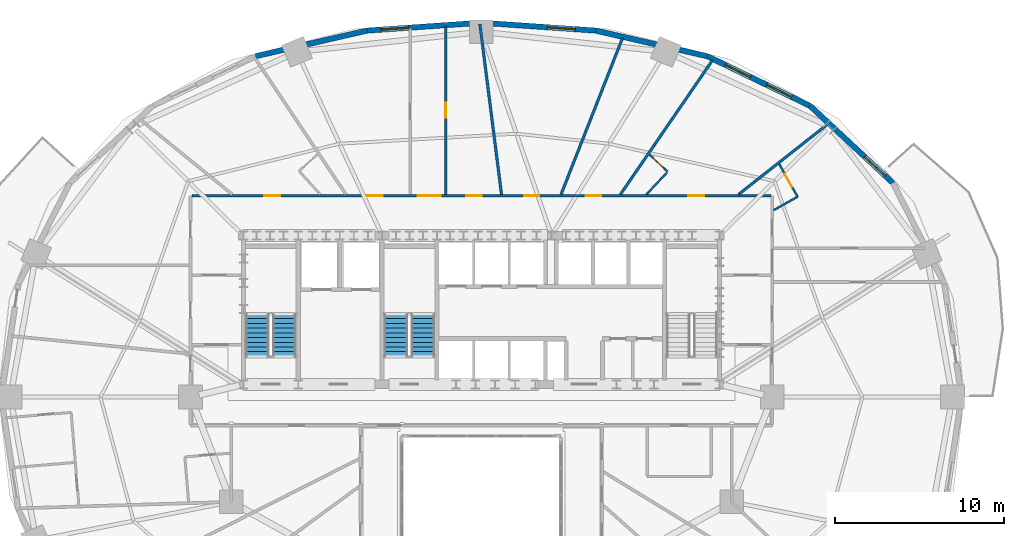
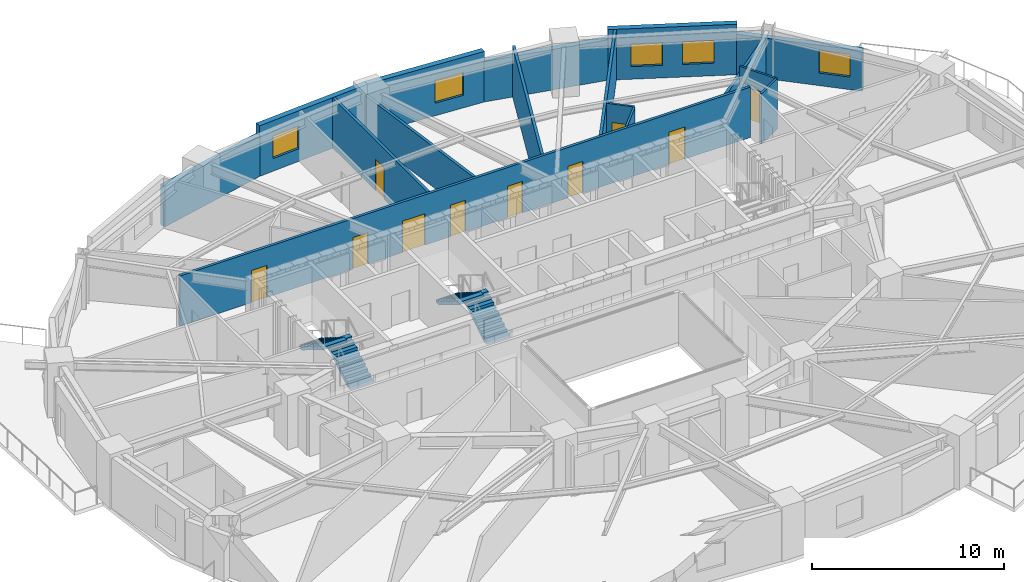
# One storey, part 11 of 15: 16 walls, 10 doors, 5 windows, 4 stair flights, 15 openings, 2 elements without a shape of their own.
"""IFC4 building model written with IfcOpenShell, lengths in metres."""

from ifc_helpers import new_model, si_unit, direction, frame, frame_2d, origin, place, context, subcontext, project, spatial, polyline, rectangle, outline, extrude, material, layer, layer_set, type_object, element, fill, aggregate, save


model = new_model("IFC4")

# Units and contexts
model_context = context("Model", 3, precision=1e-05, world=origin(), true_north=direction((0.0, 1.0)))
body_context = subcontext(model_context, "Body", "Model", "MODEL_VIEW")
ifc_project = project(units=[si_unit("LENGTHUNIT", "METRE"), si_unit("AREAUNIT", "SQUARE_METRE"), si_unit("VOLUMEUNIT", "CUBIC_METRE"), si_unit("PLANEANGLEUNIT", "RADIAN"), si_unit("MASSUNIT", "GRAM", prefix="KILO")], contexts=[model_context])

# Site, building, storey
site_placement = place(None, origin())
site = spatial("IfcSite", under=ifc_project, at=site_placement, CompositionType="ELEMENT")
building_placement = place(site_placement, origin())
building = spatial("IfcBuilding", under=site, at=building_placement, Name="Haldorwick Loom Tower", CompositionType="ELEMENT")
storey_placement = place(building_placement, frame((0.0, 0.0, 92.14990234375)))
storey = spatial("IfcBuildingStorey", under=building, at=storey_placement, Name="L24", CompositionType="ELEMENT", Elevation=92.14990234375)

# Wall, opening, window
ifc_material_1 = material(Name="Pressed Clay Face Brick and Insulated Masonry Backup Assembly", Category="masonry")
ifc_layer_1 = layer(ifc_material_1, 0.320068359375, Name="Pressed Clay Face Brick and Insulated Masonry Backup Assembly", Category="masonry")
ifc_layer_set_1 = layer_set([ifc_layer_1], Name="Pressed Clay Face Brick and Insulated Masonry Backup Assembly")
wall_type_1 = type_object("IfcWallType", Name="ARC-WL-EXT320", PredefinedType="STANDARD", material=ifc_layer_set_1)
wall_1_placement = place(storey_placement, frame((60.338623046875, 38.655517578125, 0.0), z_axis=(0.0, 0.0, 1.0), x_axis=(-0.732137360086, 0.681157020052, 0.0)))
wall_1 = element("IfcWall", 1, at=wall_1_placement, inside=storey, type_object=wall_type_1, Name="L24 Brick Pier and Spandrel Wall 3", PredefinedType="STANDARD", context=body_context, shape_type="SweptSolid", body=[
    extrude(rectangle(XDim=6.709228515625, YDim=0.320068359375, at=frame_2d((3.3544921875, 0.0))), origin(), (0.0, 0.0, 1.0), 2.569091796875),
])
opening_1_placement = place(wall_1_placement, frame((0.639892578125, 0.0, 0.800048828125)))
opening_1 = element("IfcOpeningElement", 2, at=opening_1_placement, cuts=wall_1, Name="Opening W-01B", PredefinedType="OPENING", context=body_context, shape_type="SweptSolid", body=[
    extrude(rectangle(XDim=1.64990234375, YDim=1.449951171875, at=frame_2d((0.824951171875, 0.72509765625))), frame((0.0, 0.169921875, 0.0), z_axis=(0.0, -1.0, 0.0), x_axis=(1.0, 0.0, 0.0)), (0.0, 0.0, 1.0), 0.340087890625),
])
ifc_material_2 = material(Name="Triple-Glazed Low-E Argon Insulated Glazing Unit", Category="glass")
window_type = type_object("IfcWindowType", Name="ARC-WIN-W165", PartitioningType="SINGLE_PANEL", PredefinedType="WINDOW", material=ifc_material_2)
window_1_placement = place(opening_1_placement, origin())
window_1 = element("IfcWindow", 3, at=window_1_placement, inside=storey, type_object=window_type, Name="L24 Deep-Set Zone 7A Window 3", OverallHeight=1.449951171875, OverallWidth=1.64990234375, PartitioningType="SINGLE_PANEL", PredefinedType="WINDOW", context=body_context, shape_type="SweptSolid", body=[
    extrude(rectangle(XDim=1.64990234375, YDim=1.449951171875, at=frame_2d((0.824951171875, 0.72509765625))), frame((0.0, 0.030029296875, 0.0), z_axis=(0.0, -1.0, 0.0), x_axis=(1.0, 0.0, 0.0)), (0.0, 0.0, 1.0), 0.06005859375),
])
fill(opening_1, window_1)

# Wall, openings, windows
wall_2_placement = place(storey_placement, frame((55.426513671875, 43.2255859375, 0.0), z_axis=(0.0, 0.0, 1.0), x_axis=(-0.900510094661, 0.434835106004, 0.0)))
wall_2 = element("IfcWall", 4, at=wall_2_placement, inside=storey, type_object=wall_type_1, Name="L24 Brick Pier and Spandrel Wall 4", PredefinedType="STANDARD", context=body_context, shape_type="SweptSolid", body=[
    extrude(rectangle(XDim=6.744873046875, YDim=0.320068359375, at=frame_2d((3.37255859375, 0.0))), origin(), (0.0, 0.0, 1.0), 3.210205078125),
])
opening_2_placement = place(wall_2_placement, frame((1.198486328125, 0.0, 0.800048828125)))
opening_2 = element("IfcOpeningElement", 5, at=opening_2_placement, cuts=wall_2, Name="Opening W-01B", PredefinedType="OPENING", context=body_context, shape_type="SweptSolid", body=[
    extrude(rectangle(XDim=1.64990234375, YDim=1.449951171875, at=frame_2d((0.824951171875, 0.72509765625))), frame((0.0, 0.169921875, 0.0), z_axis=(0.0, -1.0, 0.0), x_axis=(1.0, 0.0, 0.0)), (0.0, 0.0, 1.0), 0.340087890625),
])
opening_3_placement = place(wall_2_placement, frame((3.896484375, 0.0, 0.800048828125)))
opening_3 = element("IfcOpeningElement", 6, at=opening_3_placement, cuts=wall_2, Name="Opening W-01B", PredefinedType="OPENING", context=body_context, shape_type="SweptSolid", body=[
    extrude(rectangle(XDim=1.64990234375, YDim=1.449951171875, at=frame_2d((0.824951171875, 0.72509765625))), frame((0.0, 0.169921875, 0.0), z_axis=(0.0, -1.0, 0.0), x_axis=(1.0, 0.0, 0.0)), (0.0, 0.0, 1.0), 0.340087890625),
])
window_2_placement = place(opening_2_placement, origin())
window_2 = element("IfcWindow", 7, at=window_2_placement, inside=storey, type_object=window_type, Name="L24 Deep-Set Zone 7A Window 4", OverallHeight=1.449951171875, OverallWidth=1.64990234375, PartitioningType="SINGLE_PANEL", PredefinedType="WINDOW", context=body_context, shape_type="SweptSolid", body=[
    extrude(rectangle(XDim=1.64990234375, YDim=1.449951171875, at=frame_2d((0.824951171875, 0.72509765625))), frame((0.0, 0.030029296875, 0.0), z_axis=(0.0, -1.0, 0.0), x_axis=(1.0, 0.0, 0.0)), (0.0, 0.0, 1.0), 0.06005859375),
])
fill(opening_2, window_2)
window_3_placement = place(opening_3_placement, origin())
window_3 = element("IfcWindow", 8, at=window_3_placement, inside=storey, type_object=window_type, Name="L24 Deep-Set Zone 7A Window 4", OverallHeight=1.449951171875, OverallWidth=1.64990234375, PartitioningType="SINGLE_PANEL", PredefinedType="WINDOW", context=body_context, shape_type="SweptSolid", body=[
    extrude(rectangle(XDim=1.64990234375, YDim=1.449951171875, at=frame_2d((0.824951171875, 0.72509765625))), frame((0.0, 0.030029296875, 0.0), z_axis=(0.0, -1.0, 0.0), x_axis=(1.0, 0.0, 0.0)), (0.0, 0.0, 1.0), 0.06005859375),
])
fill(opening_3, window_3)

# Wall
wall_3_placement = place(storey_placement, frame((49.352783203125, 46.158447265625, 0.0), z_axis=(0.0, 0.0, 1.0), x_axis=(-0.974584177714, 0.224021607329, 0.0)))
element("IfcWall", 9, at=wall_3_placement, inside=storey, type_object=wall_type_1, Name="L24 Brick Pier and Spandrel Wall 5", PredefinedType="STANDARD", context=body_context, shape_type="SweptSolid", body=[
    extrude(rectangle(XDim=6.767822265625, YDim=0.320068359375, at=frame_2d((3.3837890625, 0.0))), origin(), (0.0, 0.0, 1.0), 2.569091796875),
])

# Wall, opening, window
wall_4_placement = place(storey_placement, frame((42.757080078125, 47.674560546875, 0.0), z_axis=(0.0, 0.0, 1.0), x_axis=(-0.997651949344, 0.068487867318, 0.0)))
wall_4 = element("IfcWall", 10, at=wall_4_placement, inside=storey, type_object=wall_type_1, Name="L24 Brick Pier and Spandrel Wall 6", PredefinedType="STANDARD", context=body_context, shape_type="SweptSolid", body=[
    extrude(rectangle(XDim=6.77294921875, YDim=0.320068359375, at=frame_2d((3.386474609375, 0.0))), origin(), (0.0, 0.0, 1.0), 3.210205078125),
])
opening_4_placement = place(wall_4_placement, frame((1.206787109375, 0.0, 0.800048828125)))
opening_4 = element("IfcOpeningElement", 11, at=opening_4_placement, cuts=wall_4, Name="Opening W-01B", PredefinedType="OPENING", context=body_context, shape_type="SweptSolid", body=[
    extrude(rectangle(XDim=1.64990234375, YDim=1.449951171875, at=frame_2d((0.824951171875, 0.72509765625))), frame((0.0, 0.169921875, 0.0), z_axis=(0.0, -1.0, 0.0), x_axis=(1.0, 0.0, 0.0)), (0.0, 0.0, 1.0), 0.340087890625),
])
window_4_placement = place(opening_4_placement, origin())
window_4 = element("IfcWindow", 12, at=window_4_placement, inside=storey, type_object=window_type, Name="L24 Deep-Set Zone 7A Window 6", OverallHeight=1.449951171875, OverallWidth=1.64990234375, PartitioningType="SINGLE_PANEL", PredefinedType="WINDOW", context=body_context, shape_type="SweptSolid", body=[
    extrude(rectangle(XDim=1.64990234375, YDim=1.449951171875, at=frame_2d((0.824951171875, 0.72509765625))), frame((0.0, 0.030029296875, 0.0), z_axis=(0.0, -1.0, 0.0), x_axis=(1.0, 0.0, 0.0)), (0.0, 0.0, 1.0), 0.06005859375),
])
fill(opening_4, window_4)

wall_5_placement = place(storey_placement, frame((36.0, 48.138427734375, 0.0), z_axis=(0.0, 0.0, 1.0), x_axis=(-0.997651949344, -0.068487867318, 0.0)))
wall_5 = element("IfcWall", 13, at=wall_5_placement, inside=storey, type_object=wall_type_1, Name="L24 Brick Pier and Spandrel Wall 7", PredefinedType="STANDARD", context=body_context, shape_type="SweptSolid", body=[
    extrude(rectangle(XDim=6.77294921875, YDim=0.320068359375, at=frame_2d((3.386474609375, 0.0))), origin(), (0.0, 0.0, 1.0), 3.210205078125),
])
opening_5_placement = place(wall_5_placement, frame((4.302734375, 0.0, 0.800048828125)))
opening_5 = element("IfcOpeningElement", 14, at=opening_5_placement, cuts=wall_5, Name="Opening W-01B", PredefinedType="OPENING", context=body_context, shape_type="SweptSolid", body=[
    extrude(rectangle(XDim=1.64990234375, YDim=1.449951171875, at=frame_2d((0.824951171875, 0.72509765625))), frame((0.0, 0.169921875, 0.0), z_axis=(0.0, -1.0, 0.0), x_axis=(1.0, 0.0, 0.0)), (0.0, 0.0, 1.0), 0.340087890625),
])
window_5_placement = place(opening_5_placement, origin())
window_5 = element("IfcWindow", 15, at=window_5_placement, inside=storey, type_object=window_type, Name="L24 Deep-Set Zone 7A Window 7", OverallHeight=1.449951171875, OverallWidth=1.64990234375, PartitioningType="SINGLE_PANEL", PredefinedType="WINDOW", context=body_context, shape_type="SweptSolid", body=[
    extrude(rectangle(XDim=1.64990234375, YDim=1.449951171875, at=frame_2d((0.824951171875, 0.72509765625))), frame((0.0, 0.030029296875, 0.0), z_axis=(0.0, -1.0, 0.0), x_axis=(1.0, 0.0, 0.0)), (0.0, 0.0, 1.0), 0.06005859375),
])
fill(opening_5, window_5)

# Wall
wall_6_placement = place(storey_placement, frame((29.242919921875, 47.674560546875, 0.0), z_axis=(0.0, 0.0, 1.0), x_axis=(-0.974584177714, -0.224021607329, 0.0)))
element("IfcWall", 16, at=wall_6_placement, inside=storey, type_object=wall_type_1, Name="L24 Brick Pier and Spandrel Wall 8", PredefinedType="STANDARD", context=body_context, shape_type="SweptSolid", body=[
    extrude(rectangle(XDim=6.767822265625, YDim=0.320068359375, at=frame_2d((3.3837890625, 0.0))), origin(), (0.0, 0.0, 1.0), 2.569091796875),
])

# Wall, openings, doors
ifc_material_3 = material(Name="Fire-Rated Type X Gypsum Stud Assembly EI 60")
ifc_layer_2 = layer(ifc_material_3, 0.159912109375, Name="Fire-Rated Type X Gypsum Stud Assembly EI 60")
ifc_layer_set_2 = layer_set([ifc_layer_2], Name="Fire-Rated Type X Gypsum Stud Assembly EI 60")
wall_type_2 = type_object("IfcWallType", Name="ARC-WL-FIRE160", PredefinedType="PARTITIONING", material=ifc_layer_set_2)
wall_7_placement = place(storey_placement, frame((18.883056640625, 37.89990234375, 0.0), z_axis=(0.0, 0.0, 1.0), x_axis=(1.0, 0.0, 0.0)))
wall_7 = element("IfcWall", 17, at=wall_7_placement, inside=storey, type_object=wall_type_2, Name="L24 Residential Fire Partition L24-CR-N0", PredefinedType="PARTITIONING", context=body_context, shape_type="SweptSolid", body=[
    extrude(rectangle(XDim=34.23388671875, YDim=0.159912109375, at=frame_2d((17.116943359375, 0.0))), origin(), (0.0, 0.0, 1.0), 3.195068359375),
])
opening_6_placement = place(wall_7_placement, frame((13.349853515625, 0.0, 0.0)))
opening_6 = element("IfcOpeningElement", 18, at=opening_6_placement, cuts=wall_7, Name="Opening D-CR15", PredefinedType="OPENING", context=body_context, shape_type="SweptSolid", body=[
    extrude(rectangle(XDim=1.35009765625, YDim=2.0, at=frame_2d((0.675048828125, 1.0))), frame((0.0, 0.08984375, 0.0), z_axis=(0.0, -1.0, 0.0), x_axis=(1.0, 0.0, 0.0)), (0.0, 0.0, 1.0), 0.179931640625),
])
opening_7_placement = place(wall_7_placement, frame((29.341796875, 0.0, 0.0)))
opening_7 = element("IfcOpeningElement", 19, at=opening_7_placement, cuts=wall_7, Name="Opening D-FL95", PredefinedType="OPENING", context=body_context, shape_type="SweptSolid", body=[
    extrude(rectangle(XDim=0.949951171875, YDim=2.0400390625, at=frame_2d((0.47509765625, 1.02001953125))), frame((0.0, 0.08984375, 0.0), z_axis=(0.0, -1.0, 0.0), x_axis=(1.0, 0.0, 0.0)), (0.0, 0.0, 1.0), 0.179931640625),
])
opening_8_placement = place(wall_7_placement, frame((4.273681640625, 0.0, 0.0)))
opening_8 = element("IfcOpeningElement", 20, at=opening_8_placement, cuts=wall_7, Name="Opening D-FL95", PredefinedType="OPENING", context=body_context, shape_type="SweptSolid", body=[
    extrude(rectangle(XDim=0.949951171875, YDim=2.0400390625, at=frame_2d((0.47509765625, 1.02001953125))), frame((0.0, 0.08984375, 0.0), z_axis=(0.0, -1.0, 0.0), x_axis=(1.0, 0.0, 0.0)), (0.0, 0.0, 1.0), 0.179931640625),
])
opening_9_placement = place(wall_7_placement, frame((10.372314453125, 0.0, 0.0)))
opening_9 = element("IfcOpeningElement", 21, at=opening_9_placement, cuts=wall_7, Name="Opening D-FD60A", PredefinedType="OPENING", context=body_context, shape_type="SweptSolid", body=[
    extrude(rectangle(XDim=0.89990234375, YDim=2.0, at=frame_2d((0.449951171875, 1.0))), frame((0.0, 0.08984375, 0.0), z_axis=(0.0, -1.0, 0.0), x_axis=(1.0, 0.0, 0.0)), (0.0, 0.0, 1.0), 0.179931640625),
])
opening_10_placement = place(wall_7_placement, frame((23.29296875, 0.0, 0.0)))
opening_10 = element("IfcOpeningElement", 22, at=opening_10_placement, cuts=wall_7, Name="Opening D-FD60A", PredefinedType="OPENING", context=body_context, shape_type="SweptSolid", body=[
    extrude(rectangle(XDim=0.89990234375, YDim=2.0, at=frame_2d((0.449951171875, 1.0))), frame((0.0, 0.08984375, 0.0), z_axis=(0.0, -1.0, 0.0), x_axis=(1.0, 0.0, 0.0)), (0.0, 0.0, 1.0), 0.179931640625),
])
opening_11_placement = place(wall_7_placement, frame((19.648681640625, 0.0, 0.0)))
opening_11 = element("IfcOpeningElement", 23, at=opening_11_placement, cuts=wall_7, Name="Opening D-FD60A", PredefinedType="OPENING", context=body_context, shape_type="SweptSolid", body=[
    extrude(rectangle(XDim=0.89990234375, YDim=2.0, at=frame_2d((0.449951171875, 1.0))), frame((0.0, 0.08984375, 0.0), z_axis=(0.0, -1.0, 0.0), x_axis=(1.0, 0.0, 0.0)), (0.0, 0.0, 1.0), 0.179931640625),
])
opening_12_placement = place(wall_7_placement, frame((16.225341796875, 0.0, 0.0)))
opening_12 = element("IfcOpeningElement", 24, at=opening_12_placement, cuts=wall_7, Name="Opening D-FD60A", PredefinedType="OPENING", context=body_context, shape_type="SweptSolid", body=[
    extrude(rectangle(XDim=0.89990234375, YDim=2.0, at=frame_2d((0.449951171875, 1.0))), frame((0.0, 0.08984375, 0.0), z_axis=(0.0, -1.0, 0.0), x_axis=(1.0, 0.0, 0.0)), (0.0, 0.0, 1.0), 0.179931640625),
])
ifc_material_4 = material(Name="Thermally Broken Anodized Aluminium and Tempered Glass", Category="aluminium")
door_type_1 = type_object("IfcDoorType", Name="ARC-DR-COR150", OperationType="NOTDEFINED", PredefinedType="DOOR", material=ifc_material_4)
door_1_placement = place(opening_6_placement, origin())
door_1 = element("IfcDoor", 25, at=door_1_placement, inside=storey, type_object=door_type_1, Name="L24 L24 North Daylight Corridor to L24 North Residential Corridor Door", OperationType="DOUBLE_DOOR_SINGLE_SWING", OverallHeight=2.0, OverallWidth=1.35009765625, PredefinedType="DOOR", context=body_context, shape_type="SweptSolid", body=[
    extrude(rectangle(XDim=1.35009765625, YDim=2.0, at=frame_2d((0.675048828125, 1.0))), frame((0.0, 0.02490234375, 0.0), z_axis=(0.0, -1.0, 0.0), x_axis=(1.0, 0.0, 0.0)), (0.0, 0.0, 1.0), 0.050048828125),
])
fill(opening_6, door_1)
ifc_material_5 = material(Name="Hollow Steel Fire Door Assembly", Category="steel")
door_type_2 = type_object("IfcDoorType", Name="ARC-DR-FD60-90", OperationType="NOTDEFINED", PredefinedType="DOOR", material=ifc_material_5)
door_2_placement = place(opening_9_placement, frame((0.89990234375, 0.0, 0.0), z_axis=(0.0, 0.0, 1.0), x_axis=(-1.0, 0.0, 0.0)))
door_2 = element("IfcDoor", 26, at=door_2_placement, inside=storey, type_object=door_type_2, Name="L24 Community Teaching Classroom 2 to L24 North Residential Corridor Doo", OperationType="SINGLE_SWING_RIGHT", OverallHeight=2.0, OverallWidth=0.89990234375, PredefinedType="DOOR", context=body_context, shape_type="SweptSolid", body=[
    extrude(rectangle(XDim=0.89990234375, YDim=2.0, at=frame_2d((0.449951171875, 1.0))), frame((0.0, 0.02490234375, 0.0), z_axis=(0.0, -1.0, 0.0), x_axis=(1.0, 0.0, 0.0)), (0.0, 0.0, 1.0), 0.050048828125),
])
fill(opening_9, door_2)
door_3_placement = place(opening_10_placement, frame((0.89990234375, 0.0, 0.0), z_axis=(0.0, 0.0, 1.0), x_axis=(-1.0, 0.0, 0.0)))
door_3 = element("IfcDoor", 27, at=door_3_placement, inside=storey, type_object=door_type_2, Name="L24 Community Teaching Classroom 12 to L24 North Residential Corridor Do", OperationType="SINGLE_SWING_RIGHT", OverallHeight=2.0, OverallWidth=0.89990234375, PredefinedType="DOOR", context=body_context, shape_type="SweptSolid", body=[
    extrude(rectangle(XDim=0.89990234375, YDim=2.0, at=frame_2d((0.449951171875, 1.0))), frame((0.0, 0.02490234375, 0.0), z_axis=(0.0, -1.0, 0.0), x_axis=(1.0, 0.0, 0.0)), (0.0, 0.0, 1.0), 0.050048828125),
])
fill(opening_10, door_3)
door_4_placement = place(opening_11_placement, frame((0.89990234375, 0.0, 0.0), z_axis=(0.0, 0.0, 1.0), x_axis=(-1.0, 0.0, 0.0)))
door_4 = element("IfcDoor", 28, at=door_4_placement, inside=storey, type_object=door_type_2, Name="L24 Community Teaching Classroom 13 to L24 North Residential Corridor Do", OperationType="SINGLE_SWING_LEFT", OverallHeight=2.0, OverallWidth=0.89990234375, PredefinedType="DOOR", context=body_context, shape_type="SweptSolid", body=[
    extrude(rectangle(XDim=0.89990234375, YDim=2.0, at=frame_2d((0.449951171875, 1.0))), frame((0.0, 0.02490234375, 0.0), z_axis=(0.0, -1.0, 0.0), x_axis=(1.0, 0.0, 0.0)), (0.0, 0.0, 1.0), 0.050048828125),
])
fill(opening_11, door_4)
door_5_placement = place(opening_12_placement, frame((0.89990234375, 0.0, 0.0), z_axis=(0.0, 0.0, 1.0), x_axis=(-1.0, 0.0, 0.0)))
door_5 = element("IfcDoor", 29, at=door_5_placement, inside=storey, type_object=door_type_2, Name="L24 Shared Tea Pantry 8 to L24 North Residential Corridor Door", OperationType="SINGLE_SWING_RIGHT", OverallHeight=2.0, OverallWidth=0.89990234375, PredefinedType="DOOR", context=body_context, shape_type="SweptSolid", body=[
    extrude(rectangle(XDim=0.89990234375, YDim=2.0, at=frame_2d((0.449951171875, 1.0))), frame((0.0, 0.02490234375, 0.0), z_axis=(0.0, -1.0, 0.0), x_axis=(1.0, 0.0, 0.0)), (0.0, 0.0, 1.0), 0.050048828125),
])
fill(opening_12, door_5)
ifc_material_6 = material(Name="Solid Core Birch Architectural Door")
door_type_3 = type_object("IfcDoorType", Name="ARC-DR-FLAT95", OperationType="NOTDEFINED", PredefinedType="DOOR", material=ifc_material_6)
door_6_placement = place(opening_7_placement, frame((0.949951171875, 0.0, 0.0), z_axis=(0.0, 0.0, 1.0), x_axis=(-1.0, 0.0, 0.0)))
door_6 = element("IfcDoor", 30, at=door_6_placement, inside=storey, type_object=door_type_3, Name="L24 Unit 24K Kitchen and Studio Living Room to L24 North Residential Cor", OperationType="SINGLE_SWING_RIGHT", OverallHeight=2.0400390625, OverallWidth=0.949951171875, PredefinedType="DOOR", context=body_context, shape_type="SweptSolid", body=[
    extrude(rectangle(XDim=0.949951171875, YDim=2.0400390625, at=frame_2d((0.47509765625, 1.02001953125))), frame((0.0, 0.02490234375, 0.0), z_axis=(0.0, -1.0, 0.0), x_axis=(1.0, 0.0, 0.0)), (0.0, 0.0, 1.0), 0.050048828125),
])
fill(opening_7, door_6)
door_7_placement = place(opening_8_placement, frame((0.949951171875, 0.0, 0.0), z_axis=(0.0, 0.0, 1.0), x_axis=(-1.0, 0.0, 0.0)))
door_7 = element("IfcDoor", 31, at=door_7_placement, inside=storey, type_object=door_type_3, Name="L24 Unit 24J Kitchen and Studio Living Room to L24 North Residential Cor", OperationType="SINGLE_SWING_LEFT", OverallHeight=2.0400390625, OverallWidth=0.949951171875, PredefinedType="DOOR", context=body_context, shape_type="SweptSolid", body=[
    extrude(rectangle(XDim=0.949951171875, YDim=2.0400390625, at=frame_2d((0.47509765625, 1.02001953125))), frame((0.0, 0.02490234375, 0.0), z_axis=(0.0, -1.0, 0.0), x_axis=(1.0, 0.0, 0.0)), (0.0, 0.0, 1.0), 0.050048828125),
])
fill(opening_8, door_7)

# Wall, opening, door
wall_8_placement = place(storey_placement, frame((33.89990234375, 37.98291015625, 0.0), z_axis=(0.0, 0.0, 1.0), x_axis=(0.0, 1.0, 0.0)))
wall_8 = element("IfcWall", 32, at=wall_8_placement, inside=storey, type_object=wall_type_2, Name="L24 Residential Fire Partition L24-CR-NG1", PredefinedType="PARTITIONING", context=body_context, shape_type="SweptSolid", body=[
    extrude(rectangle(XDim=9.9462890625, YDim=0.159912109375, at=frame_2d((4.97314453125, 0.0))), origin(), (0.0, 0.0, 1.0), 3.195068359375),
])
opening_13_placement = place(wall_8_placement, frame((4.523193359375, 0.0, 0.0)))
opening_13 = element("IfcOpeningElement", 33, at=opening_13_placement, cuts=wall_8, Name="Opening D-FD60A", PredefinedType="OPENING", context=body_context, shape_type="SweptSolid", body=[
    extrude(rectangle(XDim=0.89990234375, YDim=2.0, at=frame_2d((0.449951171875, 1.0))), frame((0.0, 0.08984375, 0.0), z_axis=(0.0, -1.0, 0.0), x_axis=(1.0, 0.0, 0.0)), (0.0, 0.0, 1.0), 0.179931640625),
])
door_8_placement = place(opening_13_placement, origin())
door_8 = element("IfcDoor", 34, at=door_8_placement, inside=storey, type_object=door_type_2, Name="L24 L24 North Daylight Corridor to Shared Tea Pantry 8 Door", OperationType="SINGLE_SWING_RIGHT", OverallHeight=2.0, OverallWidth=0.89990234375, PredefinedType="DOOR", context=body_context, shape_type="SweptSolid", body=[
    extrude(rectangle(XDim=0.89990234375, YDim=2.0, at=frame_2d((0.449951171875, 1.0))), frame((0.0, 0.02490234375, 0.0), z_axis=(0.0, -1.0, 0.0), x_axis=(1.0, 0.0, 0.0)), (0.0, 0.0, 1.0), 0.050048828125),
])
fill(opening_13, door_8)

# Walls
wall_9_placement = place(storey_placement, frame((37.189453125, 37.98291015625, 0.0), z_axis=(0.0, 0.0, 1.0), x_axis=(-0.125997299204, 0.992030584505, 0.0)))
element("IfcWall", 35, at=wall_9_placement, inside=storey, type_object=wall_type_2, Name="L24 Residential Fire Partition L24-UPN-11", PredefinedType="PARTITIONING", context=body_context, shape_type="SweptSolid", body=[
    extrude(rectangle(XDim=10.1650390625, YDim=0.159912109375, at=frame_2d((5.08251953125, 0.0))), origin(), (0.0, 0.0, 1.0), 2.568115234375),
])
wall_10_placement = place(storey_placement, frame((51.205810546875, 37.98291015625, 0.0), z_axis=(0.0, 0.0, 1.0), x_axis=(0.785418432726, 0.61896517312, 0.0)))
element("IfcWall", 36, at=wall_10_placement, inside=storey, type_object=wall_type_2, Name="L24 Suite Split Wall", PredefinedType="PARTITIONING", context=body_context, shape_type="SweptSolid", body=[
    extrude(rectangle(XDim=6.727783203125, YDim=0.159912109375, at=frame_2d((3.36376953125, 0.0))), origin(), (0.0, 0.0, 1.0), 2.568115234375),
])
wall_11_placement = place(storey_placement, frame((44.220703125, 37.98291015625, 0.0), z_axis=(0.0, 0.0, 1.0), x_axis=(0.565704064615, 0.824608338109, 0.0)))
element("IfcWall", 37, at=wall_11_placement, inside=storey, type_object=wall_type_2, Name="L24 Suite Split Wall", PredefinedType="PARTITIONING", context=body_context, shape_type="SweptSolid", body=[
    extrude(rectangle(XDim=9.63916015625, YDim=0.159912109375, at=frame_2d((4.819580078125, 0.0))), origin(), (0.0, 0.0, 1.0), 3.195068359375),
])
wall_12_placement = place(storey_placement, frame((40.710205078125, 37.98291015625, 0.0), z_axis=(0.0, 0.0, 1.0), x_axis=(0.365807260014, 0.930690629866, 0.0)))
element("IfcWall", 38, at=wall_12_placement, inside=storey, type_object=wall_type_2, Name="L24 Suite Split Wall", PredefinedType="PARTITIONING", context=body_context, shape_type="SweptSolid", body=[
    extrude(rectangle(XDim=9.9482421875, YDim=0.159912109375, at=frame_2d((4.97412109375, 0.0))), origin(), (0.0, 0.0, 1.0), 3.195068359375),
])

# Wall, opening, door
ifc_material_7 = material(Name="Acoustic Gypsum Stud Assembly STC 55")
ifc_layer_3 = layer(ifc_material_7, 0.1201171875, Name="Acoustic Gypsum Stud Assembly STC 55")
ifc_layer_set_3 = layer_set([ifc_layer_3], Name="Acoustic Gypsum Stud Assembly STC 55")
wall_type_3 = type_object("IfcWallType", Name="ARC-WL-PART120", PredefinedType="PARTITIONING", material=ifc_layer_set_3)
wall_13_placement = place(storey_placement, frame((54.697509765625, 37.843994140625, 0.0), z_axis=(0.0, 0.0, 1.0), x_axis=(-0.488747724056, 0.872425161392, 0.0)))
wall_13 = element("IfcWall", 39, at=wall_13_placement, inside=storey, type_object=wall_type_3, Name="L24 Unit 24C Interior Partition", PredefinedType="PARTITIONING", context=body_context, shape_type="SweptSolid", body=[
    extrude(rectangle(XDim=2.21435546875, YDim=0.1201171875, at=frame_2d((1.107177734375, 0.0))), origin(), (0.0, 0.0, 1.0), 3.195068359375),
])
opening_14_placement = place(wall_13_placement, frame((0.667236328125, 0.0, 0.0)))
opening_14 = element("IfcOpeningElement", 40, at=opening_14_placement, cuts=wall_13, Name="Opening D-BT88", PredefinedType="OPENING", context=body_context, shape_type="SweptSolid", body=[
    extrude(rectangle(XDim=0.8798828125, YDim=2.02001953125, at=frame_2d((0.43994140625, 1.010009765625))), frame((0.0, 0.070068359375, 0.0), z_axis=(0.0, -1.0, 0.0), x_axis=(1.0, 0.0, 0.0)), (0.0, 0.0, 1.0), 0.14013671875),
])
door_type_4 = type_object("IfcDoorType", Name="ARC-DR-BATH88", OperationType="NOTDEFINED", PredefinedType="DOOR", material=ifc_material_6)
door_9_placement = place(opening_14_placement, origin())
door_9 = element("IfcDoor", 41, at=door_9_placement, inside=storey, type_object=door_type_4, Name="L24 Unit 24C Bathroom to Unit 24C Kitchen and Studio Living Room Door", OperationType="SINGLE_SWING_LEFT", OverallHeight=2.02001953125, OverallWidth=0.8798828125, PredefinedType="DOOR", context=body_context, shape_type="SweptSolid", body=[
    extrude(rectangle(XDim=0.8798828125, YDim=2.02001953125, at=frame_2d((0.43994140625, 1.010009765625))), frame((0.0, 0.02490234375, 0.0), z_axis=(0.0, -1.0, 0.0), x_axis=(1.0, 0.0, 0.0)), (0.0, 0.0, 1.0), 0.050048828125),
])
fill(opening_14, door_9)

# Wall
wall_14_placement = place(storey_placement, frame((53.282958984375, 37.0517578125, 0.0), z_axis=(0.0, 0.0, 1.0), x_axis=(0.872482904661, 0.488644636801, 0.0)))
element("IfcWall", 42, at=wall_14_placement, inside=storey, type_object=wall_type_3, Name="L24 Unit 24C Interior Partition", PredefinedType="PARTITIONING", context=body_context, shape_type="SweptSolid", body=[
    extrude(rectangle(XDim=1.621337890625, YDim=0.1201171875, at=frame_2d((0.810546875, 0.0))), origin(), (0.0, 0.0, 1.0), 3.195068359375),
])

# Wall, opening, door
wall_15_placement = place(storey_placement, frame((47.0185546875, 39.3271484375, 0.0), z_axis=(0.0, 0.0, 1.0), x_axis=(-0.729732555266, 0.683732694688, 0.0)))
wall_15 = element("IfcWall", 43, at=wall_15_placement, inside=storey, type_object=wall_type_3, Name="L24 Unit 24K Interior Partition", PredefinedType="PARTITIONING", context=body_context, shape_type="SweptSolid", body=[
    extrude(rectangle(XDim=1.480712890625, YDim=0.1201171875, at=frame_2d((0.740234375, 0.0))), origin(), (0.0, 0.0, 1.0), 3.195068359375),
])
opening_15_placement = place(wall_15_placement, frame((0.30029296875, 0.0, 0.0)))
opening_15 = element("IfcOpeningElement", 44, at=opening_15_placement, cuts=wall_15, Name="Opening D-BT88", PredefinedType="OPENING", context=body_context, shape_type="SweptSolid", body=[
    extrude(rectangle(XDim=0.8798828125, YDim=2.02001953125, at=frame_2d((0.43994140625, 1.010009765625))), frame((0.0, 0.070068359375, 0.0), z_axis=(0.0, -1.0, 0.0), x_axis=(1.0, 0.0, 0.0)), (0.0, 0.0, 1.0), 0.14013671875),
])
door_10_placement = place(opening_15_placement, origin())
door_10 = element("IfcDoor", 45, at=door_10_placement, inside=storey, type_object=door_type_4, Name="L24 Unit 24K Bathroom to Unit 24K Kitchen and Studio Living Room Door", OperationType="SINGLE_SWING_LEFT", OverallHeight=2.02001953125, OverallWidth=0.8798828125, PredefinedType="DOOR", context=body_context, shape_type="SweptSolid", body=[
    extrude(rectangle(XDim=0.8798828125, YDim=2.02001953125, at=frame_2d((0.43994140625, 1.010009765625))), frame((0.0, 0.02490234375, 0.0), z_axis=(0.0, -1.0, 0.0), x_axis=(1.0, 0.0, 0.0)), (0.0, 0.0, 1.0), 0.050048828125),
])
fill(opening_15, door_10)

# Wall
wall_16_placement = place(storey_placement, frame((45.75927734375, 37.98291015625, 0.0), z_axis=(0.0, 0.0, 1.0), x_axis=(0.683744798075, 0.729721214646, 0.0)))
element("IfcWall", 46, at=wall_16_placement, inside=storey, type_object=wall_type_3, Name="L24 Unit 24K Interior Partition", PredefinedType="PARTITIONING", context=body_context, shape_type="SweptSolid", body=[
    extrude(rectangle(XDim=1.77880859375, YDim=0.1201171875, at=frame_2d((0.889404296875, 0.0))), origin(), (0.0, 0.0, 1.0), 3.195068359375),
])

# Stair, stair flights
ifc_material_8 = material(Name="Concrete C40 (40 MPa)", Category="concrete")
stair_type = type_object("IfcStairType", Name="STR-STR-CORE", PredefinedType="HALF_TURN_STAIR", material=ifc_material_8)
stair_1_placement = place(storey_placement, origin())
stair_1 = element("IfcStair", 47, at=stair_1_placement, inside=storey, type_object=stair_type, Name="L24 Exit Stair ST-01", PredefinedType="HALF_TURN_STAIR")
stair_flight_type = type_object("IfcStairFlightType", Name="STR-STF-1250", PredefinedType="STRAIGHT", material=ifc_material_8)
stair_flight_1_placement = place(storey_placement, frame((24.35009765625, 28.39990234375, 0.0), z_axis=(0.0, 0.0, 1.0), x_axis=(0.0, 1.0, 0.0)))
stair_flight_1 = element("IfcStairFlight", 48, at=stair_flight_1_placement, type_object=stair_flight_type, Name="ST-01 flight 1", NumberOfRisers=10, NumberOfTreads=9, PredefinedType="STRAIGHT", RiserHeight=0.1725, TreadLength=0.28, context=body_context, shape_type="SweptSolid", body=[
    extrude(outline(polyline([(0.0, 0.0), (0.0, 0.172607421875), (0.280029296875, 0.172607421875), (0.280029296875, 0.344970703125), (0.56005859375, 0.344970703125), (0.56005859375, 0.517578125), (0.840087890625, 0.517578125), (0.840087890625, 0.68994140625), (1.1201171875, 0.68994140625), (1.1201171875, 0.862548828125), (1.39990234375, 0.862548828125), (1.39990234375, 1.034912109375), (1.679931640625, 1.034912109375), (1.679931640625, 1.20751953125), (1.9599609375, 1.20751953125), (1.9599609375, 1.3798828125), (2.239990234375, 1.3798828125), (2.239990234375, 1.552490234375), (2.52001953125, 1.552490234375), (2.52001953125, 1.72509765625), (2.52001953125, 1.37646484375), (0.285888671875, 0.0), (0.0, 0.0)])), frame((0.0, 0.699951171875, 0.0), z_axis=(0.0, -1.0, 0.0), x_axis=(1.0, 0.0, 0.0)), (0.0, 0.0, 1.0), 1.39990234375),
])
stair_flight_2_placement = place(storey_placement, frame((22.75, 30.919921875, 1.72509765625), z_axis=(0.0, 0.0, 1.0), x_axis=(0.0, -1.0, 0.0)))
stair_flight_2 = element("IfcStairFlight", 49, at=stair_flight_2_placement, type_object=stair_flight_type, Name="ST-01 flight 2", NumberOfRisers=10, NumberOfTreads=9, PredefinedType="STRAIGHT", RiserHeight=0.1725, TreadLength=0.28, context=body_context, shape_type="SweptSolid", body=[
    extrude(outline(polyline([(0.0, 0.0), (0.0, 0.172607421875), (0.280029296875, 0.172607421875), (0.280029296875, 0.344970703125), (0.56005859375, 0.344970703125), (0.56005859375, 0.517578125), (0.840087890625, 0.517578125), (0.840087890625, 0.68994140625), (1.1201171875, 0.68994140625), (1.1201171875, 0.862548828125), (1.39990234375, 0.862548828125), (1.39990234375, 1.034912109375), (1.679931640625, 1.034912109375), (1.679931640625, 1.20751953125), (1.9599609375, 1.20751953125), (1.9599609375, 1.3798828125), (2.239990234375, 1.3798828125), (2.239990234375, 1.552490234375), (2.52001953125, 1.552490234375), (2.52001953125, 1.72509765625), (2.52001953125, 1.37646484375), (0.285888671875, 0.0), (0.0, 0.0)])), frame((0.0, 0.699951171875, 0.0), z_axis=(0.0, -1.0, 0.0), x_axis=(1.0, 0.0, 0.0)), (0.0, 0.0, 1.0), 1.39990234375),
])
aggregate(stair_1, [stair_flight_1, stair_flight_2])

stair_2_placement = place(storey_placement, origin())
stair_2 = element("IfcStair", 50, at=stair_2_placement, inside=storey, type_object=stair_type, Name="L24 Exit Stair ST-03", PredefinedType="HALF_TURN_STAIR")
stair_flight_3_placement = place(storey_placement, frame((32.550048828125, 28.39990234375, 0.0), z_axis=(0.0, 0.0, 1.0), x_axis=(0.0, 1.0, 0.0)))
stair_flight_3 = element("IfcStairFlight", 51, at=stair_flight_3_placement, type_object=stair_flight_type, Name="ST-03 flight 1", NumberOfRisers=10, NumberOfTreads=9, PredefinedType="STRAIGHT", RiserHeight=0.1725, TreadLength=0.28, context=body_context, shape_type="SweptSolid", body=[
    extrude(outline(polyline([(0.0, 0.0), (0.0, 0.172607421875), (0.280029296875, 0.172607421875), (0.280029296875, 0.344970703125), (0.56005859375, 0.344970703125), (0.56005859375, 0.517578125), (0.840087890625, 0.517578125), (0.840087890625, 0.68994140625), (1.1201171875, 0.68994140625), (1.1201171875, 0.862548828125), (1.39990234375, 0.862548828125), (1.39990234375, 1.034912109375), (1.679931640625, 1.034912109375), (1.679931640625, 1.20751953125), (1.9599609375, 1.20751953125), (1.9599609375, 1.3798828125), (2.239990234375, 1.3798828125), (2.239990234375, 1.552490234375), (2.52001953125, 1.552490234375), (2.52001953125, 1.72509765625), (2.52001953125, 1.37646484375), (0.285888671875, 0.0), (0.0, 0.0)])), frame((0.0, 0.699951171875, 0.0), z_axis=(0.0, -1.0, 0.0), x_axis=(1.0, 0.0, 0.0)), (0.0, 0.0, 1.0), 1.39990234375),
])
stair_flight_4_placement = place(storey_placement, frame((30.949951171875, 30.919921875, 1.72509765625), z_axis=(0.0, 0.0, 1.0), x_axis=(0.0, -1.0, 0.0)))
stair_flight_4 = element("IfcStairFlight", 52, at=stair_flight_4_placement, type_object=stair_flight_type, Name="ST-03 flight 2", NumberOfRisers=10, NumberOfTreads=9, PredefinedType="STRAIGHT", RiserHeight=0.1725, TreadLength=0.28, context=body_context, shape_type="SweptSolid", body=[
    extrude(outline(polyline([(0.0, 0.0), (0.0, 0.172607421875), (0.280029296875, 0.172607421875), (0.280029296875, 0.344970703125), (0.56005859375, 0.344970703125), (0.56005859375, 0.517578125), (0.840087890625, 0.517578125), (0.840087890625, 0.68994140625), (1.1201171875, 0.68994140625), (1.1201171875, 0.862548828125), (1.39990234375, 0.862548828125), (1.39990234375, 1.034912109375), (1.679931640625, 1.034912109375), (1.679931640625, 1.20751953125), (1.9599609375, 1.20751953125), (1.9599609375, 1.3798828125), (2.239990234375, 1.3798828125), (2.239990234375, 1.552490234375), (2.52001953125, 1.552490234375), (2.52001953125, 1.72509765625), (2.52001953125, 1.37646484375), (0.285888671875, 0.0), (0.0, 0.0)])), frame((0.0, 0.699951171875, 0.0), z_axis=(0.0, -1.0, 0.0), x_axis=(1.0, 0.0, 0.0)), (0.0, 0.0, 1.0), 1.39990234375),
])
aggregate(stair_2, [stair_flight_3, stair_flight_4])

save(model, "model.ifc")
